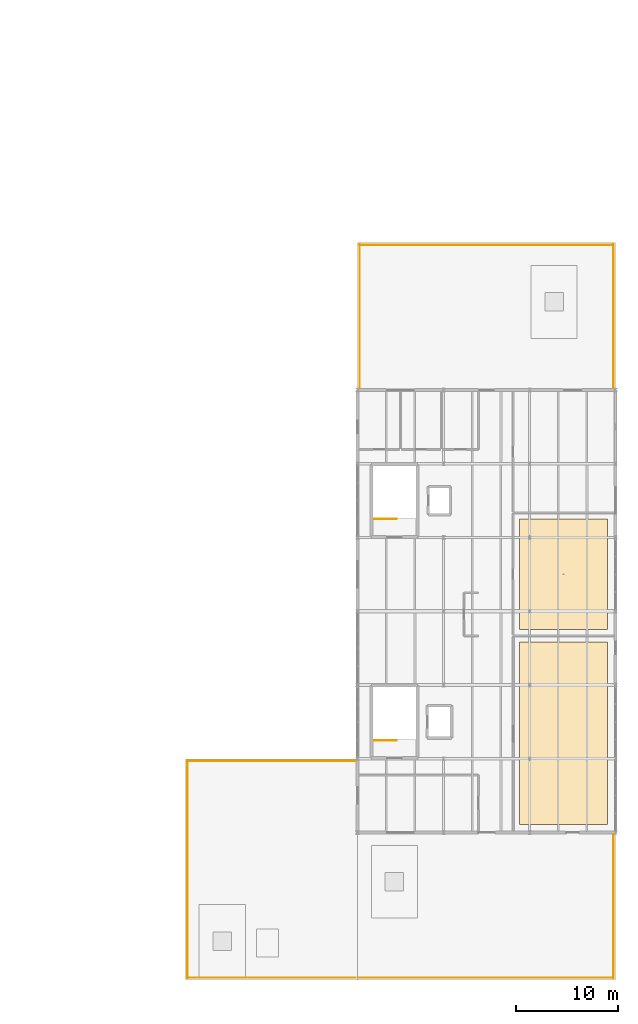
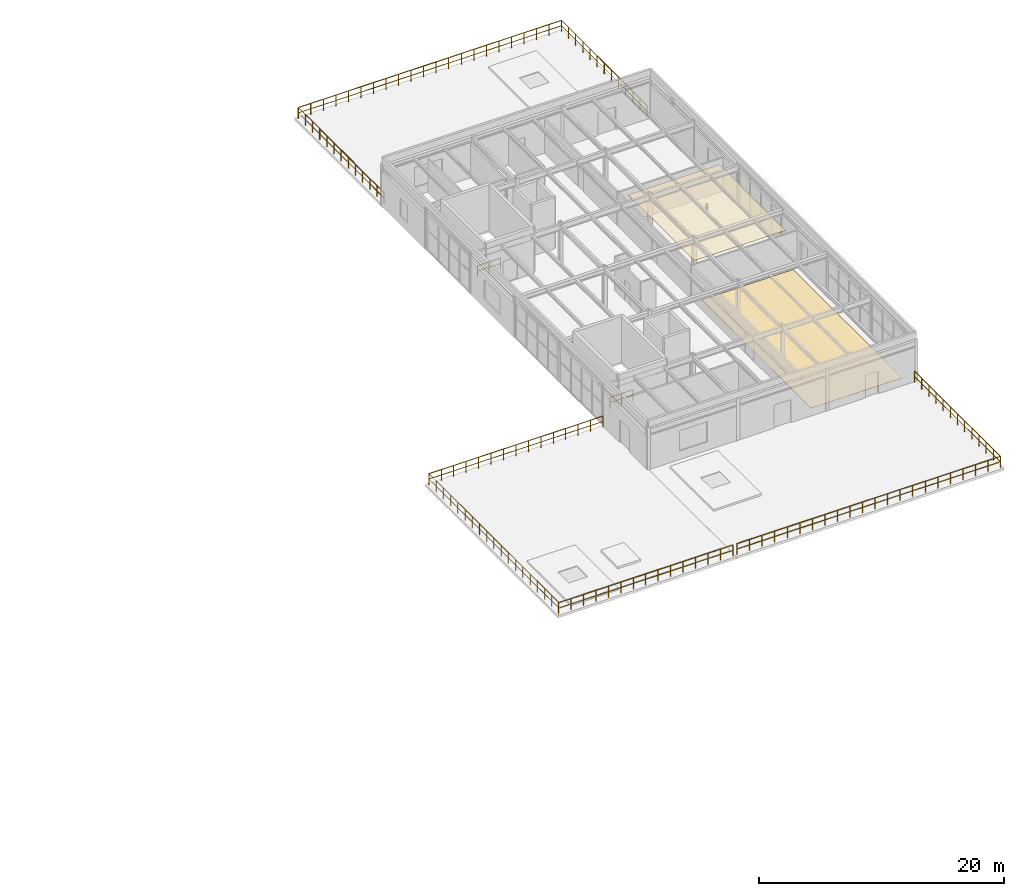
# One storey, part 77 of 77: 10 railings, 2 coverings.
"""IFC4 building model written with IfcOpenShell, lengths in metres."""

from ifc_helpers import new_model, si_unit, derived_unit, direction, frame, origin, origin_2d, place, context, subcontext, project, spatial, polyline, circle, outline, extrude, material, layer, layer_set, type_object, element, save


model = new_model("IFC4")

# Units and contexts
model_context = context("Model", 3, precision=1e-05, world=origin(), true_north=direction((0.0, 1.0)))
body_context = subcontext(model_context, "Body", "Model", "MODEL_VIEW")
ifc_project = project(units=[si_unit("LENGTHUNIT", "METRE"), si_unit("AREAUNIT", "SQUARE_METRE"), si_unit("VOLUMEUNIT", "CUBIC_METRE"), si_unit("PLANEANGLEUNIT", "RADIAN"), si_unit("MASSUNIT", "GRAM", prefix="KILO"), derived_unit("THERMALTRANSMITTANCEUNIT", [(si_unit("MASSUNIT", "GRAM", prefix="KILO"), 1), (si_unit("TIMEUNIT", "SECOND"), -3), (si_unit("THERMODYNAMICTEMPERATUREUNIT", "KELVIN"), -1)])], contexts=[model_context])

# Site, building, storey
site_placement = place(None, origin())
site = spatial("IfcSite", under=ifc_project, at=site_placement, CompositionType="ELEMENT")
building_placement = place(site_placement, origin())
building = spatial("IfcBuilding", under=site, at=building_placement, Name="Kharveza Railside Sports Centre", CompositionType="ELEMENT")
storey_placement = place(building_placement, frame((0.0, 0.0, 17.10009765625)))
storey = spatial("IfcBuildingStorey", under=building, at=storey_placement, Name="L04", CompositionType="ELEMENT", Elevation=17.10009765625)

# Coverings
ifc_material_1 = material(Name="Acoustic mineral-fibre ceiling tile")
ifc_layer_1 = layer(ifc_material_1, 0.0400390625, Name="Acoustic mineral-fibre ceiling tile")
ifc_layer_set_1 = layer_set([ifc_layer_1], Name="Acoustic mineral-fibre ceiling tile")
covering_type_1 = type_object("IfcCoveringType", Name="CV-CL01", PredefinedType="CEILING", material=ifc_layer_set_1)
covering_1_placement = place(storey_placement, frame((0.0, 0.0, 3.14990234375)))
element("IfcCovering", 1, at=covering_1_placement, inside=storey, type_object=covering_type_1, Name="COV-CL-SCI4", PredefinedType="CEILING", context=body_context, shape_type="SweptSolid", body=[
    extrude(outline(polyline([(158.60009765625, 48.60009765625), (158.60009765625, 59.39990234375), (167.199951171875, 59.39990234375), (167.199951171875, 48.60009765625), (158.60009765625, 48.60009765625)])), origin(), (0.0, 0.0, 1.0), 0.0400390625),
])
ifc_material_2 = material(Name="EPDM shock-absorbing running track surfacing")
ifc_layer_2 = layer(ifc_material_2, 0.02490234375, Name="EPDM shock-absorbing running track surfacing")
ifc_layer_set_2 = layer_set([ifc_layer_2], Name="EPDM shock-absorbing running track surfacing")
covering_type_2 = type_object("IfcCoveringType", Name="CV-FL02", PredefinedType="FLOORING", material=ifc_layer_set_2)
covering_2_placement = place(storey_placement, origin())
element("IfcCovering", 2, at=covering_2_placement, inside=storey, type_object=covering_type_2, Name="COV-FL-PAV4", PredefinedType="FLOORING", context=body_context, shape_type="SweptSolid", body=[
    extrude(outline(polyline([(158.60009765625, 29.60009765625), (158.60009765625, 47.39990234375), (167.199951171875, 47.39990234375), (167.199951171875, 29.60009765625), (158.60009765625, 29.60009765625)])), origin(), (0.0, 0.0, 1.0), 0.02490234375),
])

# Railings
ifc_material_3 = material(Name="Steel S275JR", Category="steel")
railing_type = type_object("IfcRailingType", Name="RL-GD110", PredefinedType="GUARDRAIL", material=ifc_material_3)
railing_1_placement = place(storey_placement, frame((142.60009765625, 35.780029296875, 0.0)))
element("IfcRailing", 3, at=railing_1_placement, inside=storey, type_object=railing_type, Name="RL-TERR-L04-01", PredefinedType="GUARDRAIL", context=body_context, shape_type="SweptSolid", body=[
    extrude(circle(Radius=0.02392578125, at=origin_2d()), frame((0.0, 0.0, 1.09619140625), z_axis=(-1.0, 0.0, 0.0), x_axis=(0.0, -1.0, 0.0)), (0.0, 0.0, 1.0), 16.400146484375),
    extrude(circle(Radius=0.01611328125, at=origin_2d()), frame((0.0, 0.0, 0.56005859375), z_axis=(-1.0, 0.0, 0.0), x_axis=(0.0, -1.0, 0.0)), (0.0, 0.0, 1.0), 16.400146484375),
    extrude(circle(Radius=0.02099609375, at=origin_2d()), origin(), (0.0, 0.0, 1.0), 1.072021484375),
    extrude(circle(Radius=0.02099609375, at=origin_2d()), frame((-1.17138671875, 0.0, 0.0)), (0.0, 0.0, 1.0), 1.072021484375),
    extrude(circle(Radius=0.02099609375, at=origin_2d()), frame((-2.3427734375, 0.0, 0.0)), (0.0, 0.0, 1.0), 1.072021484375),
    extrude(circle(Radius=0.02099609375, at=origin_2d()), frame((-3.514404296875, 0.0, 0.0)), (0.0, 0.0, 1.0), 1.072021484375),
    extrude(circle(Radius=0.02099609375, at=origin_2d()), frame((-4.685791015625, 0.0, 0.0)), (0.0, 0.0, 1.0), 1.072021484375),
    extrude(circle(Radius=0.02099609375, at=origin_2d()), frame((-5.857177734375, 0.0, 0.0)), (0.0, 0.0, 1.0), 1.072021484375),
    extrude(circle(Radius=0.02099609375, at=origin_2d()), frame((-7.028564453125, 0.0, 0.0)), (0.0, 0.0, 1.0), 1.072021484375),
    extrude(circle(Radius=0.02099609375, at=origin_2d()), frame((-8.2001953125, 0.0, 0.0)), (0.0, 0.0, 1.0), 1.072021484375),
    extrude(circle(Radius=0.02099609375, at=origin_2d()), frame((-9.37158203125, 0.0, 0.0)), (0.0, 0.0, 1.0), 1.072021484375),
    extrude(circle(Radius=0.02099609375, at=origin_2d()), frame((-10.54296875, 0.0, 0.0)), (0.0, 0.0, 1.0), 1.072021484375),
    extrude(circle(Radius=0.02099609375, at=origin_2d()), frame((-11.71435546875, 0.0, 0.0)), (0.0, 0.0, 1.0), 1.072021484375),
    extrude(circle(Radius=0.02099609375, at=origin_2d()), frame((-12.8857421875, 0.0, 0.0)), (0.0, 0.0, 1.0), 1.072021484375),
    extrude(circle(Radius=0.02099609375, at=origin_2d()), frame((-14.057373046875, 0.0, 0.0)), (0.0, 0.0, 1.0), 1.072021484375),
    extrude(circle(Radius=0.02099609375, at=origin_2d()), frame((-15.228759765625, 0.0, 0.0)), (0.0, 0.0, 1.0), 1.072021484375),
    extrude(circle(Radius=0.02099609375, at=origin_2d()), frame((-16.400146484375, 0.0, 0.0)), (0.0, 0.0, 1.0), 1.072021484375),
])
railing_2_placement = place(storey_placement, frame((126.219970703125, 35.800048828125, 0.0)))
element("IfcRailing", 4, at=railing_2_placement, inside=storey, type_object=railing_type, Name="RL-TERR-L04-02", PredefinedType="GUARDRAIL", context=body_context, shape_type="SweptSolid", body=[
    extrude(circle(Radius=0.02392578125, at=origin_2d()), frame((0.0, 0.0, 1.09619140625), z_axis=(0.0, -1.0, 0.0), x_axis=(1.0, 0.0, 0.0)), (0.0, 0.0, 1.0), 21.199951171875),
    extrude(circle(Radius=0.01611328125, at=origin_2d()), frame((0.0, 0.0, 0.56005859375), z_axis=(0.0, -1.0, 0.0), x_axis=(1.0, 0.0, 0.0)), (0.0, 0.0, 1.0), 21.199951171875),
    extrude(circle(Radius=0.02099609375, at=origin_2d()), origin(), (0.0, 0.0, 1.0), 1.072021484375),
    extrude(circle(Radius=0.02099609375, at=origin_2d()), frame((0.0, -1.177734375, 0.0)), (0.0, 0.0, 1.0), 1.072021484375),
    extrude(circle(Radius=0.02099609375, at=origin_2d()), frame((0.0, -2.35546875, 0.0)), (0.0, 0.0, 1.0), 1.072021484375),
    extrude(circle(Radius=0.02099609375, at=origin_2d()), frame((0.0, -3.533203125, 0.0)), (0.0, 0.0, 1.0), 1.072021484375),
    extrude(circle(Radius=0.02099609375, at=origin_2d()), frame((0.0, -4.711181640625, 0.0)), (0.0, 0.0, 1.0), 1.072021484375),
    extrude(circle(Radius=0.02099609375, at=origin_2d()), frame((0.0, -5.888916015625, 0.0)), (0.0, 0.0, 1.0), 1.072021484375),
    extrude(circle(Radius=0.02099609375, at=origin_2d()), frame((0.0, -7.066650390625, 0.0)), (0.0, 0.0, 1.0), 1.072021484375),
    extrude(circle(Radius=0.02099609375, at=origin_2d()), frame((0.0, -8.244384765625, 0.0)), (0.0, 0.0, 1.0), 1.072021484375),
    extrude(circle(Radius=0.02099609375, at=origin_2d()), frame((0.0, -9.422119140625, 0.0)), (0.0, 0.0, 1.0), 1.072021484375),
    extrude(circle(Radius=0.02099609375, at=origin_2d()), frame((0.0, -10.60009765625, 0.0)), (0.0, 0.0, 1.0), 1.072021484375),
    extrude(circle(Radius=0.02099609375, at=origin_2d()), frame((0.0, -11.77783203125, 0.0)), (0.0, 0.0, 1.0), 1.072021484375),
    extrude(circle(Radius=0.02099609375, at=origin_2d()), frame((0.0, -12.95556640625, 0.0)), (0.0, 0.0, 1.0), 1.072021484375),
    extrude(circle(Radius=0.02099609375, at=origin_2d()), frame((0.0, -14.13330078125, 0.0)), (0.0, 0.0, 1.0), 1.072021484375),
    extrude(circle(Radius=0.02099609375, at=origin_2d()), frame((0.0, -15.31103515625, 0.0)), (0.0, 0.0, 1.0), 1.072021484375),
    extrude(circle(Radius=0.02099609375, at=origin_2d()), frame((0.0, -16.48876953125, 0.0)), (0.0, 0.0, 1.0), 1.072021484375),
    extrude(circle(Radius=0.02099609375, at=origin_2d()), frame((0.0, -17.66650390625, 0.0)), (0.0, 0.0, 1.0), 1.072021484375),
    extrude(circle(Radius=0.02099609375, at=origin_2d()), frame((0.0, -18.844482421875, 0.0)), (0.0, 0.0, 1.0), 1.072021484375),
    extrude(circle(Radius=0.02099609375, at=origin_2d()), frame((0.0, -20.022216796875, 0.0)), (0.0, 0.0, 1.0), 1.072021484375),
    extrude(circle(Radius=0.02099609375, at=origin_2d()), frame((0.0, -21.199951171875, 0.0)), (0.0, 0.0, 1.0), 1.072021484375),
])
railing_3_placement = place(storey_placement, frame((126.199951171875, 14.6201171875, 0.0)))
element("IfcRailing", 5, at=railing_3_placement, inside=storey, type_object=railing_type, Name="RL-TERR-L04-03", PredefinedType="GUARDRAIL", context=body_context, shape_type="SweptSolid", body=[
    extrude(circle(Radius=0.02392578125, at=origin_2d()), frame((0.0, 0.0, 1.09619140625), z_axis=(1.0, 0.0, 0.0), x_axis=(0.0, 1.0, 0.0)), (0.0, 0.0, 1.0), 16.400146484375),
    extrude(circle(Radius=0.01611328125, at=origin_2d()), frame((0.0, 0.0, 0.56005859375), z_axis=(1.0, 0.0, 0.0), x_axis=(0.0, 1.0, 0.0)), (0.0, 0.0, 1.0), 16.400146484375),
    extrude(circle(Radius=0.02099609375, at=origin_2d()), origin(), (0.0, 0.0, 1.0), 1.072021484375),
    extrude(circle(Radius=0.02099609375, at=origin_2d()), frame((1.17138671875, 0.0, 0.0)), (0.0, 0.0, 1.0), 1.072021484375),
    extrude(circle(Radius=0.02099609375, at=origin_2d()), frame((2.3427734375, 0.0, 0.0)), (0.0, 0.0, 1.0), 1.072021484375),
    extrude(circle(Radius=0.02099609375, at=origin_2d()), frame((3.514404296875, 0.0, 0.0)), (0.0, 0.0, 1.0), 1.072021484375),
    extrude(circle(Radius=0.02099609375, at=origin_2d()), frame((4.685791015625, 0.0, 0.0)), (0.0, 0.0, 1.0), 1.072021484375),
    extrude(circle(Radius=0.02099609375, at=origin_2d()), frame((5.857177734375, 0.0, 0.0)), (0.0, 0.0, 1.0), 1.072021484375),
    extrude(circle(Radius=0.02099609375, at=origin_2d()), frame((7.028564453125, 0.0, 0.0)), (0.0, 0.0, 1.0), 1.072021484375),
    extrude(circle(Radius=0.02099609375, at=origin_2d()), frame((8.2001953125, 0.0, 0.0)), (0.0, 0.0, 1.0), 1.072021484375),
    extrude(circle(Radius=0.02099609375, at=origin_2d()), frame((9.37158203125, 0.0, 0.0)), (0.0, 0.0, 1.0), 1.072021484375),
    extrude(circle(Radius=0.02099609375, at=origin_2d()), frame((10.54296875, 0.0, 0.0)), (0.0, 0.0, 1.0), 1.072021484375),
    extrude(circle(Radius=0.02099609375, at=origin_2d()), frame((11.71435546875, 0.0, 0.0)), (0.0, 0.0, 1.0), 1.072021484375),
    extrude(circle(Radius=0.02099609375, at=origin_2d()), frame((12.8857421875, 0.0, 0.0)), (0.0, 0.0, 1.0), 1.072021484375),
    extrude(circle(Radius=0.02099609375, at=origin_2d()), frame((14.057373046875, 0.0, 0.0)), (0.0, 0.0, 1.0), 1.072021484375),
    extrude(circle(Radius=0.02099609375, at=origin_2d()), frame((15.228759765625, 0.0, 0.0)), (0.0, 0.0, 1.0), 1.072021484375),
    extrude(circle(Radius=0.02099609375, at=origin_2d()), frame((16.400146484375, 0.0, 0.0)), (0.0, 0.0, 1.0), 1.072021484375),
])
railing_4_placement = place(storey_placement, frame((143.0, 14.6201171875, 0.0)))
element("IfcRailing", 6, at=railing_4_placement, inside=storey, type_object=railing_type, Name="RL-TERR-L04-04", PredefinedType="GUARDRAIL", context=body_context, shape_type="SweptSolid", body=[
    extrude(circle(Radius=0.02392578125, at=origin_2d()), frame((0.0, 0.0, 1.09619140625), z_axis=(1.0, 0.0, 0.0), x_axis=(0.0, 1.0, 0.0)), (0.0, 0.0, 1.0), 24.800048828125),
    extrude(circle(Radius=0.01611328125, at=origin_2d()), frame((0.0, 0.0, 0.56005859375), z_axis=(1.0, 0.0, 0.0), x_axis=(0.0, 1.0, 0.0)), (0.0, 0.0, 1.0), 24.800048828125),
    extrude(circle(Radius=0.02099609375, at=origin_2d()), origin(), (0.0, 0.0, 1.0), 1.072021484375),
    extrude(circle(Radius=0.02099609375, at=origin_2d()), frame((1.180908203125, 0.0, 0.0)), (0.0, 0.0, 1.0), 1.072021484375),
    extrude(circle(Radius=0.02099609375, at=origin_2d()), frame((2.36181640625, 0.0, 0.0)), (0.0, 0.0, 1.0), 1.072021484375),
    extrude(circle(Radius=0.02099609375, at=origin_2d()), frame((3.54296875, 0.0, 0.0)), (0.0, 0.0, 1.0), 1.072021484375),
    extrude(circle(Radius=0.02099609375, at=origin_2d()), frame((4.723876953125, 0.0, 0.0)), (0.0, 0.0, 1.0), 1.072021484375),
    extrude(circle(Radius=0.02099609375, at=origin_2d()), frame((5.90478515625, 0.0, 0.0)), (0.0, 0.0, 1.0), 1.072021484375),
    extrude(circle(Radius=0.02099609375, at=origin_2d()), frame((7.085693359375, 0.0, 0.0)), (0.0, 0.0, 1.0), 1.072021484375),
    extrude(circle(Radius=0.02099609375, at=origin_2d()), frame((8.2666015625, 0.0, 0.0)), (0.0, 0.0, 1.0), 1.072021484375),
    extrude(circle(Radius=0.02099609375, at=origin_2d()), frame((9.44775390625, 0.0, 0.0)), (0.0, 0.0, 1.0), 1.072021484375),
    extrude(circle(Radius=0.02099609375, at=origin_2d()), frame((10.628662109375, 0.0, 0.0)), (0.0, 0.0, 1.0), 1.072021484375),
    extrude(circle(Radius=0.02099609375, at=origin_2d()), frame((11.8095703125, 0.0, 0.0)), (0.0, 0.0, 1.0), 1.072021484375),
    extrude(circle(Radius=0.02099609375, at=origin_2d()), frame((12.990478515625, 0.0, 0.0)), (0.0, 0.0, 1.0), 1.072021484375),
    extrude(circle(Radius=0.02099609375, at=origin_2d()), frame((14.17138671875, 0.0, 0.0)), (0.0, 0.0, 1.0), 1.072021484375),
    extrude(circle(Radius=0.02099609375, at=origin_2d()), frame((15.352294921875, 0.0, 0.0)), (0.0, 0.0, 1.0), 1.072021484375),
    extrude(circle(Radius=0.02099609375, at=origin_2d()), frame((16.533447265625, 0.0, 0.0)), (0.0, 0.0, 1.0), 1.072021484375),
    extrude(circle(Radius=0.02099609375, at=origin_2d()), frame((17.71435546875, 0.0, 0.0)), (0.0, 0.0, 1.0), 1.072021484375),
    extrude(circle(Radius=0.02099609375, at=origin_2d()), frame((18.895263671875, 0.0, 0.0)), (0.0, 0.0, 1.0), 1.072021484375),
    extrude(circle(Radius=0.02099609375, at=origin_2d()), frame((20.076171875, 0.0, 0.0)), (0.0, 0.0, 1.0), 1.072021484375),
    extrude(circle(Radius=0.02099609375, at=origin_2d()), frame((21.257080078125, 0.0, 0.0)), (0.0, 0.0, 1.0), 1.072021484375),
    extrude(circle(Radius=0.02099609375, at=origin_2d()), frame((22.438232421875, 0.0, 0.0)), (0.0, 0.0, 1.0), 1.072021484375),
    extrude(circle(Radius=0.02099609375, at=origin_2d()), frame((23.619140625, 0.0, 0.0)), (0.0, 0.0, 1.0), 1.072021484375),
    extrude(circle(Radius=0.02099609375, at=origin_2d()), frame((24.800048828125, 0.0, 0.0)), (0.0, 0.0, 1.0), 1.072021484375),
])
railing_5_placement = place(storey_placement, frame((167.780029296875, 14.60009765625, 0.0)))
element("IfcRailing", 7, at=railing_5_placement, inside=storey, type_object=railing_type, Name="RL-TERR-L04-05", PredefinedType="GUARDRAIL", context=body_context, shape_type="SweptSolid", body=[
    extrude(circle(Radius=0.02392578125, at=origin_2d()), frame((0.0, 0.0, 1.09619140625), z_axis=(0.0, 1.0, 0.0), x_axis=(-1.0, 0.0, 0.0)), (0.0, 0.0, 1.0), 14.0),
    extrude(circle(Radius=0.01611328125, at=origin_2d()), frame((0.0, 0.0, 0.56005859375), z_axis=(0.0, 1.0, 0.0), x_axis=(-1.0, 0.0, 0.0)), (0.0, 0.0, 1.0), 14.0),
    extrude(circle(Radius=0.02099609375, at=origin_2d()), origin(), (0.0, 0.0, 1.0), 1.072021484375),
    extrude(circle(Radius=0.02099609375, at=origin_2d()), frame((0.0, 1.166748046875, 0.0)), (0.0, 0.0, 1.0), 1.072021484375),
    extrude(circle(Radius=0.02099609375, at=origin_2d()), frame((0.0, 2.333251953125, 0.0)), (0.0, 0.0, 1.0), 1.072021484375),
    extrude(circle(Radius=0.02099609375, at=origin_2d()), frame((0.0, 3.5, 0.0)), (0.0, 0.0, 1.0), 1.072021484375),
    extrude(circle(Radius=0.02099609375, at=origin_2d()), frame((0.0, 4.666748046875, 0.0)), (0.0, 0.0, 1.0), 1.072021484375),
    extrude(circle(Radius=0.02099609375, at=origin_2d()), frame((0.0, 5.833251953125, 0.0)), (0.0, 0.0, 1.0), 1.072021484375),
    extrude(circle(Radius=0.02099609375, at=origin_2d()), frame((0.0, 7.0, 0.0)), (0.0, 0.0, 1.0), 1.072021484375),
    extrude(circle(Radius=0.02099609375, at=origin_2d()), frame((0.0, 8.166748046875, 0.0)), (0.0, 0.0, 1.0), 1.072021484375),
    extrude(circle(Radius=0.02099609375, at=origin_2d()), frame((0.0, 9.333251953125, 0.0)), (0.0, 0.0, 1.0), 1.072021484375),
    extrude(circle(Radius=0.02099609375, at=origin_2d()), frame((0.0, 10.5, 0.0)), (0.0, 0.0, 1.0), 1.072021484375),
    extrude(circle(Radius=0.02099609375, at=origin_2d()), frame((0.0, 11.666748046875, 0.0)), (0.0, 0.0, 1.0), 1.072021484375),
    extrude(circle(Radius=0.02099609375, at=origin_2d()), frame((0.0, 12.833251953125, 0.0)), (0.0, 0.0, 1.0), 1.072021484375),
    extrude(circle(Radius=0.02099609375, at=origin_2d()), frame((0.0, 14.0, 0.0)), (0.0, 0.0, 1.0), 1.072021484375),
])
railing_6_placement = place(storey_placement, frame((167.780029296875, 72.199951171875, 0.0)))
element("IfcRailing", 8, at=railing_6_placement, inside=storey, type_object=railing_type, Name="RL-TERR-L04-06", PredefinedType="GUARDRAIL", context=body_context, shape_type="SweptSolid", body=[
    extrude(circle(Radius=0.02392578125, at=origin_2d()), frame((0.0, 0.0, 1.09619140625), z_axis=(0.0, 1.0, 0.0), x_axis=(-1.0, 0.0, 0.0)), (0.0, 0.0, 1.0), 14.0),
    extrude(circle(Radius=0.01611328125, at=origin_2d()), frame((0.0, 0.0, 0.56005859375), z_axis=(0.0, 1.0, 0.0), x_axis=(-1.0, 0.0, 0.0)), (0.0, 0.0, 1.0), 14.0),
    extrude(circle(Radius=0.02099609375, at=origin_2d()), origin(), (0.0, 0.0, 1.0), 1.072021484375),
    extrude(circle(Radius=0.02099609375, at=origin_2d()), frame((0.0, 1.166748046875, 0.0)), (0.0, 0.0, 1.0), 1.072021484375),
    extrude(circle(Radius=0.02099609375, at=origin_2d()), frame((0.0, 2.333251953125, 0.0)), (0.0, 0.0, 1.0), 1.072021484375),
    extrude(circle(Radius=0.02099609375, at=origin_2d()), frame((0.0, 3.5, 0.0)), (0.0, 0.0, 1.0), 1.072021484375),
    extrude(circle(Radius=0.02099609375, at=origin_2d()), frame((0.0, 4.666748046875, 0.0)), (0.0, 0.0, 1.0), 1.072021484375),
    extrude(circle(Radius=0.02099609375, at=origin_2d()), frame((0.0, 5.833251953125, 0.0)), (0.0, 0.0, 1.0), 1.072021484375),
    extrude(circle(Radius=0.02099609375, at=origin_2d()), frame((0.0, 7.0, 0.0)), (0.0, 0.0, 1.0), 1.072021484375),
    extrude(circle(Radius=0.02099609375, at=origin_2d()), frame((0.0, 8.166748046875, 0.0)), (0.0, 0.0, 1.0), 1.072021484375),
    extrude(circle(Radius=0.02099609375, at=origin_2d()), frame((0.0, 9.333251953125, 0.0)), (0.0, 0.0, 1.0), 1.072021484375),
    extrude(circle(Radius=0.02099609375, at=origin_2d()), frame((0.0, 10.5, 0.0)), (0.0, 0.0, 1.0), 1.072021484375),
    extrude(circle(Radius=0.02099609375, at=origin_2d()), frame((0.0, 11.666748046875, 0.0)), (0.0, 0.0, 1.0), 1.072021484375),
    extrude(circle(Radius=0.02099609375, at=origin_2d()), frame((0.0, 12.833251953125, 0.0)), (0.0, 0.0, 1.0), 1.072021484375),
    extrude(circle(Radius=0.02099609375, at=origin_2d()), frame((0.0, 14.0, 0.0)), (0.0, 0.0, 1.0), 1.072021484375),
])
railing_7_placement = place(storey_placement, frame((167.800048828125, 86.179931640625, 0.0)))
element("IfcRailing", 9, at=railing_7_placement, inside=storey, type_object=railing_type, Name="RL-TERR-L04-07", PredefinedType="GUARDRAIL", context=body_context, shape_type="SweptSolid", body=[
    extrude(circle(Radius=0.02392578125, at=origin_2d()), frame((0.0, 0.0, 1.09619140625), z_axis=(-1.0, 0.0, 0.0), x_axis=(0.0, -1.0, 0.0)), (0.0, 0.0, 1.0), 24.800048828125),
    extrude(circle(Radius=0.01611328125, at=origin_2d()), frame((0.0, 0.0, 0.56005859375), z_axis=(-1.0, 0.0, 0.0), x_axis=(0.0, -1.0, 0.0)), (0.0, 0.0, 1.0), 24.800048828125),
    extrude(circle(Radius=0.02099609375, at=origin_2d()), origin(), (0.0, 0.0, 1.0), 1.072021484375),
    extrude(circle(Radius=0.02099609375, at=origin_2d()), frame((-1.180908203125, 0.0, 0.0)), (0.0, 0.0, 1.0), 1.072021484375),
    extrude(circle(Radius=0.02099609375, at=origin_2d()), frame((-2.36181640625, 0.0, 0.0)), (0.0, 0.0, 1.0), 1.072021484375),
    extrude(circle(Radius=0.02099609375, at=origin_2d()), frame((-3.54296875, 0.0, 0.0)), (0.0, 0.0, 1.0), 1.072021484375),
    extrude(circle(Radius=0.02099609375, at=origin_2d()), frame((-4.723876953125, 0.0, 0.0)), (0.0, 0.0, 1.0), 1.072021484375),
    extrude(circle(Radius=0.02099609375, at=origin_2d()), frame((-5.90478515625, 0.0, 0.0)), (0.0, 0.0, 1.0), 1.072021484375),
    extrude(circle(Radius=0.02099609375, at=origin_2d()), frame((-7.085693359375, 0.0, 0.0)), (0.0, 0.0, 1.0), 1.072021484375),
    extrude(circle(Radius=0.02099609375, at=origin_2d()), frame((-8.2666015625, 0.0, 0.0)), (0.0, 0.0, 1.0), 1.072021484375),
    extrude(circle(Radius=0.02099609375, at=origin_2d()), frame((-9.44775390625, 0.0, 0.0)), (0.0, 0.0, 1.0), 1.072021484375),
    extrude(circle(Radius=0.02099609375, at=origin_2d()), frame((-10.628662109375, 0.0, 0.0)), (0.0, 0.0, 1.0), 1.072021484375),
    extrude(circle(Radius=0.02099609375, at=origin_2d()), frame((-11.8095703125, 0.0, 0.0)), (0.0, 0.0, 1.0), 1.072021484375),
    extrude(circle(Radius=0.02099609375, at=origin_2d()), frame((-12.990478515625, 0.0, 0.0)), (0.0, 0.0, 1.0), 1.072021484375),
    extrude(circle(Radius=0.02099609375, at=origin_2d()), frame((-14.17138671875, 0.0, 0.0)), (0.0, 0.0, 1.0), 1.072021484375),
    extrude(circle(Radius=0.02099609375, at=origin_2d()), frame((-15.352294921875, 0.0, 0.0)), (0.0, 0.0, 1.0), 1.072021484375),
    extrude(circle(Radius=0.02099609375, at=origin_2d()), frame((-16.533447265625, 0.0, 0.0)), (0.0, 0.0, 1.0), 1.072021484375),
    extrude(circle(Radius=0.02099609375, at=origin_2d()), frame((-17.71435546875, 0.0, 0.0)), (0.0, 0.0, 1.0), 1.072021484375),
    extrude(circle(Radius=0.02099609375, at=origin_2d()), frame((-18.895263671875, 0.0, 0.0)), (0.0, 0.0, 1.0), 1.072021484375),
    extrude(circle(Radius=0.02099609375, at=origin_2d()), frame((-20.076171875, 0.0, 0.0)), (0.0, 0.0, 1.0), 1.072021484375),
    extrude(circle(Radius=0.02099609375, at=origin_2d()), frame((-21.257080078125, 0.0, 0.0)), (0.0, 0.0, 1.0), 1.072021484375),
    extrude(circle(Radius=0.02099609375, at=origin_2d()), frame((-22.438232421875, 0.0, 0.0)), (0.0, 0.0, 1.0), 1.072021484375),
    extrude(circle(Radius=0.02099609375, at=origin_2d()), frame((-23.619140625, 0.0, 0.0)), (0.0, 0.0, 1.0), 1.072021484375),
    extrude(circle(Radius=0.02099609375, at=origin_2d()), frame((-24.800048828125, 0.0, 0.0)), (0.0, 0.0, 1.0), 1.072021484375),
])
railing_8_placement = place(storey_placement, frame((143.02001953125, 86.199951171875, 0.0)))
element("IfcRailing", 10, at=railing_8_placement, inside=storey, type_object=railing_type, Name="RL-TERR-L04-08", PredefinedType="GUARDRAIL", context=body_context, shape_type="SweptSolid", body=[
    extrude(circle(Radius=0.02392578125, at=origin_2d()), frame((0.0, 0.0, 1.09619140625), z_axis=(0.0, -1.0, 0.0), x_axis=(1.0, 0.0, 0.0)), (0.0, 0.0, 1.0), 14.0),
    extrude(circle(Radius=0.01611328125, at=origin_2d()), frame((0.0, 0.0, 0.56005859375), z_axis=(0.0, -1.0, 0.0), x_axis=(1.0, 0.0, 0.0)), (0.0, 0.0, 1.0), 14.0),
    extrude(circle(Radius=0.02099609375, at=origin_2d()), origin(), (0.0, 0.0, 1.0), 1.072021484375),
    extrude(circle(Radius=0.02099609375, at=origin_2d()), frame((0.0, -1.166748046875, 0.0)), (0.0, 0.0, 1.0), 1.072021484375),
    extrude(circle(Radius=0.02099609375, at=origin_2d()), frame((0.0, -2.333251953125, 0.0)), (0.0, 0.0, 1.0), 1.072021484375),
    extrude(circle(Radius=0.02099609375, at=origin_2d()), frame((0.0, -3.5, 0.0)), (0.0, 0.0, 1.0), 1.072021484375),
    extrude(circle(Radius=0.02099609375, at=origin_2d()), frame((0.0, -4.666748046875, 0.0)), (0.0, 0.0, 1.0), 1.072021484375),
    extrude(circle(Radius=0.02099609375, at=origin_2d()), frame((0.0, -5.833251953125, 0.0)), (0.0, 0.0, 1.0), 1.072021484375),
    extrude(circle(Radius=0.02099609375, at=origin_2d()), frame((0.0, -7.0, 0.0)), (0.0, 0.0, 1.0), 1.072021484375),
    extrude(circle(Radius=0.02099609375, at=origin_2d()), frame((0.0, -8.166748046875, 0.0)), (0.0, 0.0, 1.0), 1.072021484375),
    extrude(circle(Radius=0.02099609375, at=origin_2d()), frame((0.0, -9.333251953125, 0.0)), (0.0, 0.0, 1.0), 1.072021484375),
    extrude(circle(Radius=0.02099609375, at=origin_2d()), frame((0.0, -10.5, 0.0)), (0.0, 0.0, 1.0), 1.072021484375),
    extrude(circle(Radius=0.02099609375, at=origin_2d()), frame((0.0, -11.666748046875, 0.0)), (0.0, 0.0, 1.0), 1.072021484375),
    extrude(circle(Radius=0.02099609375, at=origin_2d()), frame((0.0, -12.833251953125, 0.0)), (0.0, 0.0, 1.0), 1.072021484375),
    extrude(circle(Radius=0.02099609375, at=origin_2d()), frame((0.0, -14.0, 0.0)), (0.0, 0.0, 1.0), 1.072021484375),
])
for number, where, name in (
    (11, (144.39990234375, 37.800048828125, 0.0), "RL-STTOP-ST1-L04"),
    (12, (144.39990234375, 59.39990234375, 0.0), "RL-STTOP-ST2-L04"),
):
    element("IfcRailing", number, at=place(storey_placement, frame(where)), inside=storey, type_object=railing_type, Name=name, PredefinedType="GUARDRAIL", context=body_context, shape_type="SweptSolid", body=[
        extrude(circle(Radius=0.02392578125, at=origin_2d()), frame((0.0, 0.0, 1.09619140625), z_axis=(1.0, 0.0, 0.0), x_axis=(0.0, 1.0, 0.0)), (0.0, 0.0, 1.0), 2.2001953125),
        extrude(circle(Radius=0.01611328125, at=origin_2d()), frame((0.0, 0.0, 0.56005859375), z_axis=(1.0, 0.0, 0.0), x_axis=(0.0, 1.0, 0.0)), (0.0, 0.0, 1.0), 2.2001953125),
        extrude(circle(Radius=0.02099609375, at=origin_2d()), origin(), (0.0, 0.0, 1.0), 1.072021484375),
        extrude(circle(Radius=0.02099609375, at=origin_2d()), frame((1.10009765625, 0.0, 0.0)), (0.0, 0.0, 1.0), 1.072021484375),
        extrude(circle(Radius=0.02099609375, at=origin_2d()), frame((2.2001953125, 0.0, 0.0)), (0.0, 0.0, 1.0), 1.072021484375),
    ])

save(model, "model.ifc")
